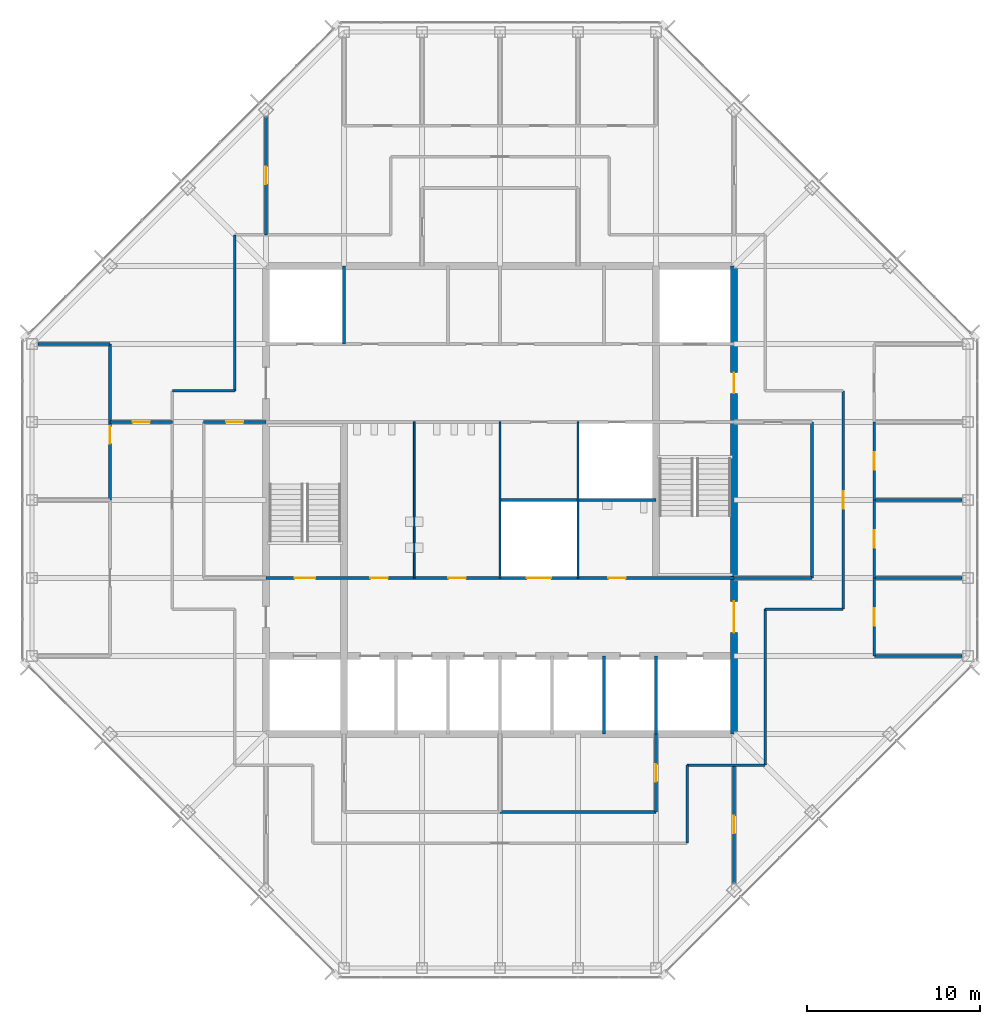
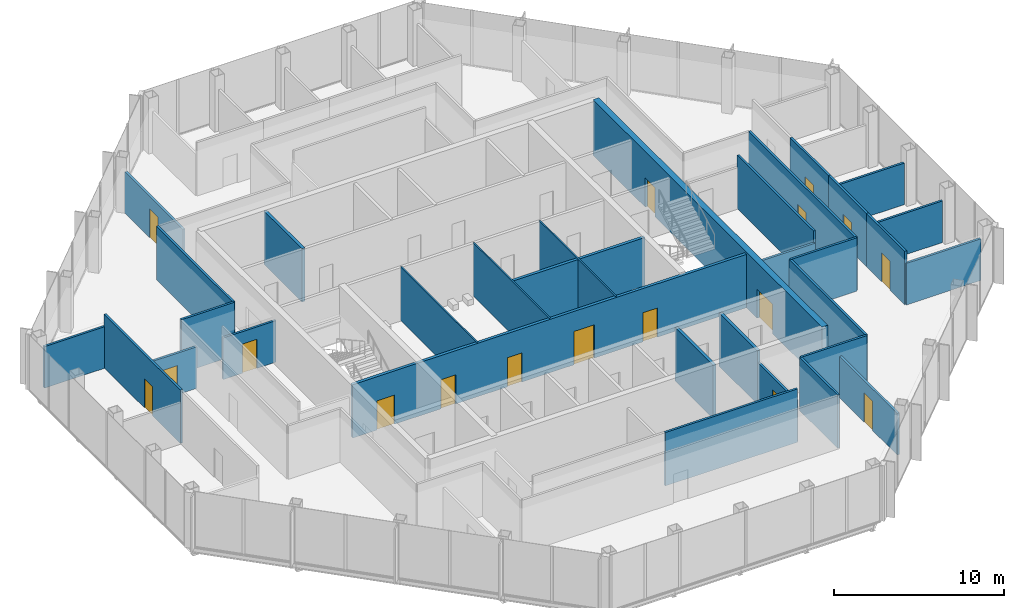
# One storey, part 10 of 14: 32 walls, 17 doors, 17 openings.
"""IFC4 building model written with IfcOpenShell, lengths in metres."""

from ifc_helpers import new_model, si_unit, direction, frame, frame_2d, origin, place, context, subcontext, project, spatial, rectangle, extrude, material, layer, layer_set, type_object, element, fill, save


model = new_model("IFC4")

# Units and contexts
model_context = context("Model", 3, precision=1e-05, world=origin(), true_north=direction((0.0, 1.0)))
body_context = subcontext(model_context, "Body", "Model", "MODEL_VIEW")
ifc_project = project(units=[si_unit("LENGTHUNIT", "METRE"), si_unit("AREAUNIT", "SQUARE_METRE"), si_unit("VOLUMEUNIT", "CUBIC_METRE"), si_unit("PLANEANGLEUNIT", "RADIAN"), si_unit("MASSUNIT", "GRAM", prefix="KILO")], contexts=[model_context])

# Site, building, storey
site_placement = place(None, origin())
site = spatial("IfcSite", under=ifc_project, at=site_placement, CompositionType="ELEMENT")
building_placement = place(site_placement, origin())
building = spatial("IfcBuilding", under=site, at=building_placement, Name="Corais Broadcast Tower", CompositionType="ELEMENT")
storey_placement = place(building_placement, frame((0.0, 0.0, 214.60009765625)))
storey = spatial("IfcBuildingStorey", under=building, at=storey_placement, Name="L49", CompositionType="ELEMENT", Elevation=214.60009765625)

# Walls
ifc_material_1 = material(Name="Concrete blockwork class A, grouted, two-hour", Category="masonry")
ifc_layer_1 = layer(ifc_material_1, 0.199951171875)
ifc_layer_set_1 = layer_set([ifc_layer_1], Name="Concrete blockwork class A, grouted, two-hour")
wall_type_1 = type_object("IfcWallType", Name="Core lobby wall 200", PredefinedType="SOLIDWALL", material=ifc_layer_set_1)
for number, where, z_axis, x_axis, name in (
    (1, (18.0, 36.0, 0.0), (0.0, 0.0, 1.0), (0.0, 1.0, 0.0), "CL3 core shaft wall X18B L49"),
    (2, (36.0, 13.5, 0.0), (0.0, 0.0, 1.0), (0.0, 1.0, 0.0), "CL3 core shaft wall X36A L49"),
):
    element("IfcWall", number, at=place(storey_placement, frame(where, z_axis=z_axis, x_axis=x_axis)), inside=storey, type_object=wall_type_1, Name=name, PredefinedType="SOLIDWALL", context=body_context, shape_type="SweptSolid", body=[
        extrude(rectangle(XDim=4.5, YDim=0.199951171875, at=frame_2d((2.25, 0.0))), origin(), (0.0, 0.0, 1.0), 3.83984375),
    ])

# Wall, openings, doors
wall_1_placement = place(storey_placement, frame((13.5, 22.5, 0.0), z_axis=(0.0, 0.0, 1.0), x_axis=(1.0, 0.0, 0.0)))
wall_1 = element("IfcWall", 3, at=wall_1_placement, inside=storey, type_object=wall_type_1, Name="CL3 core lobby wall Y225 L49", PredefinedType="SOLIDWALL", context=body_context, shape_type="SweptSolid", body=[
    extrude(rectangle(XDim=27.0, YDim=0.199951171875, at=frame_2d((13.5, 0.0))), origin(), (0.0, 0.0, 1.0), 3.83984375),
])
opening_1_placement = place(wall_1_placement, frame((1.64990234375, 0.0, 0.0)))
opening_1 = element("IfcOpeningElement", 4, at=opening_1_placement, cuts=wall_1, Name="Opening FD1", PredefinedType="OPENING", context=body_context, shape_type="SweptSolid", body=[
    extrude(rectangle(XDim=1.199951171875, YDim=2.10009765625, at=frame_2d((0.60009765625, 1.050048828125))), frame((0.0, 0.10986328125, 0.0), z_axis=(0.0, -1.0, 0.0), x_axis=(1.0, 0.0, 0.0)), (0.0, 0.0, 1.0), 0.219970703125),
])
opening_2_placement = place(wall_1_placement, frame((6.02490234375, 0.0, 0.0)))
opening_2 = element("IfcOpeningElement", 5, at=opening_2_placement, cuts=wall_1, Name="Opening WD1", PredefinedType="OPENING", context=body_context, shape_type="SweptSolid", body=[
    extrude(rectangle(XDim=1.0, YDim=2.10009765625, at=frame_2d((0.5, 1.050048828125))), frame((0.0, 0.10986328125, 0.0), z_axis=(0.0, -1.0, 0.0), x_axis=(1.0, 0.0, 0.0)), (0.0, 0.0, 1.0), 0.219970703125),
])
opening_3_placement = place(wall_1_placement, frame((10.52490234375, 0.0, 0.0)))
opening_3 = element("IfcOpeningElement", 6, at=opening_3_placement, cuts=wall_1, Name="Opening WD1", PredefinedType="OPENING", context=body_context, shape_type="SweptSolid", body=[
    extrude(rectangle(XDim=1.0, YDim=2.10009765625, at=frame_2d((0.5, 1.050048828125))), frame((0.0, 0.10986328125, 0.0), z_axis=(0.0, -1.0, 0.0), x_axis=(1.0, 0.0, 0.0)), (0.0, 0.0, 1.0), 0.219970703125),
])
opening_4_placement = place(wall_1_placement, frame((19.75, 0.0, 0.0)))
opening_4 = element("IfcOpeningElement", 7, at=opening_4_placement, cuts=wall_1, Name="Opening WD1", PredefinedType="OPENING", context=body_context, shape_type="SweptSolid", body=[
    extrude(rectangle(XDim=1.0, YDim=2.10009765625, at=frame_2d((0.5, 1.050048828125))), frame((0.0, 0.10986328125, 0.0), z_axis=(0.0, -1.0, 0.0), x_axis=(1.0, 0.0, 0.0)), (0.0, 0.0, 1.0), 0.219970703125),
])
opening_5_placement = place(wall_1_placement, frame((15.050048828125, 0.0, 0.0)))
opening_5 = element("IfcOpeningElement", 8, at=opening_5_placement, cuts=wall_1, Name="Opening LD3", PredefinedType="OPENING", context=body_context, shape_type="SweptSolid", body=[
    extrude(rectangle(XDim=1.39990234375, YDim=2.39990234375, at=frame_2d((0.699951171875, 1.199951171875))), frame((0.0, 0.10986328125, 0.0), z_axis=(0.0, -1.0, 0.0), x_axis=(1.0, 0.0, 0.0)), (0.0, 0.0, 1.0), 0.219970703125),
])
ifc_material_2 = material(Name="Steel fire door", Category="steel")
door_type_1 = type_object("IfcDoorType", Name="Fire door 1200x2100", OperationType="SINGLE_SWING_LEFT", PredefinedType="DOOR", material=ifc_material_2)
door_1_placement = place(opening_1_placement, origin())
door_1 = element("IfcDoor", 9, at=door_1_placement, inside=storey, type_object=door_type_1, Name="FD1 stair A door L49", OperationType="SINGLE_SWING_LEFT", OverallHeight=2.10009765625, OverallWidth=1.199951171875, PredefinedType="DOOR", context=body_context, shape_type="SweptSolid", body=[
    extrude(rectangle(XDim=1.199951171875, YDim=2.10009765625, at=frame_2d((0.60009765625, 1.050048828125))), frame((0.0, 0.02490234375, 0.0), z_axis=(0.0, -1.0, 0.0), x_axis=(1.0, 0.0, 0.0)), (0.0, 0.0, 1.0), 0.050048828125),
])
fill(opening_1, door_1)
ifc_material_3 = material(Name="Stainless steel lift door", Category="steel")
door_type_2 = type_object("IfcDoorType", Name="Service lift landing door 1400x2400", OperationType="SLIDING_TO_LEFT", PredefinedType="DOOR", material=ifc_material_3)
door_2_placement = place(opening_5_placement, origin())
door_2 = element("IfcDoor", 10, at=door_2_placement, inside=storey, type_object=door_type_2, Name="LD3 SL1 landing door L49", OperationType="SLIDING_TO_LEFT", OverallHeight=2.39990234375, OverallWidth=1.39990234375, PredefinedType="DOOR", context=body_context, shape_type="SweptSolid", body=[
    extrude(rectangle(XDim=1.39990234375, YDim=2.39990234375, at=frame_2d((0.699951171875, 1.199951171875))), frame((0.0, 0.02490234375, 0.0), z_axis=(0.0, -1.0, 0.0), x_axis=(1.0, 0.0, 0.0)), (0.0, 0.0, 1.0), 0.050048828125),
])
fill(opening_5, door_2)
ifc_material_4 = material(Name="Timber door", Category="wood")
door_type_3 = type_object("IfcDoorType", Name="Toilet door 1000x2100", OperationType="SINGLE_SWING_LEFT", PredefinedType="DOOR", material=ifc_material_4)
door_3_placement = place(opening_2_placement, origin())
door_3 = element("IfcDoor", 11, at=door_3_placement, inside=storey, type_object=door_type_3, Name="WD1 WC male door L49", OperationType="SINGLE_SWING_LEFT", OverallHeight=2.10009765625, OverallWidth=1.0, PredefinedType="DOOR", context=body_context, shape_type="SweptSolid", body=[
    extrude(rectangle(XDim=1.0, YDim=2.10009765625, at=frame_2d((0.5, 1.050048828125))), frame((0.0, 0.02490234375, 0.0), z_axis=(0.0, -1.0, 0.0), x_axis=(1.0, 0.0, 0.0)), (0.0, 0.0, 1.0), 0.050048828125),
])
fill(opening_2, door_3)
door_4_placement = place(opening_3_placement, origin())
door_4 = element("IfcDoor", 12, at=door_4_placement, inside=storey, type_object=door_type_3, Name="WD1 WC female door L49", OperationType="SINGLE_SWING_LEFT", OverallHeight=2.10009765625, OverallWidth=1.0, PredefinedType="DOOR", context=body_context, shape_type="SweptSolid", body=[
    extrude(rectangle(XDim=1.0, YDim=2.10009765625, at=frame_2d((0.5, 1.050048828125))), frame((0.0, 0.02490234375, 0.0), z_axis=(0.0, -1.0, 0.0), x_axis=(1.0, 0.0, 0.0)), (0.0, 0.0, 1.0), 0.050048828125),
])
fill(opening_3, door_4)
door_5_placement = place(opening_4_placement, origin())
door_5 = element("IfcDoor", 13, at=door_5_placement, inside=storey, type_object=door_type_3, Name="WD1 accessible WC door L49", OperationType="SINGLE_SWING_RIGHT", OverallHeight=2.10009765625, OverallWidth=1.0, PredefinedType="DOOR", context=body_context, shape_type="SweptSolid", body=[
    extrude(rectangle(XDim=1.0, YDim=2.10009765625, at=frame_2d((0.5, 1.050048828125))), frame((0.0, 0.02490234375, 0.0), z_axis=(0.0, -1.0, 0.0), x_axis=(1.0, 0.0, 0.0)), (0.0, 0.0, 1.0), 0.050048828125),
])
fill(opening_4, door_5)

ifc_material_5 = material(Name="Concrete C50/60", Category="concrete")
ifc_layer_2 = layer(ifc_material_5, 0.39990234375)
ifc_layer_set_2 = layer_set([ifc_layer_2], Name="Concrete C50/60")
wall_type_2 = type_object("IfcWallType", Name="Core wall 400", PredefinedType="SHEAR", material=ifc_layer_set_2)
wall_2_placement = place(storey_placement, frame((40.5, 13.5, 0.0), z_axis=(0.0, 0.0, 1.0), x_axis=(0.0, 1.0, 0.0)))
wall_2 = element("IfcWall", 14, at=wall_2_placement, inside=storey, type_object=wall_type_2, Name="CR400 core wall E L49", PredefinedType="SHEAR", context=body_context, shape_type="SweptSolid", body=[
    extrude(rectangle(XDim=27.0, YDim=0.39990234375, at=frame_2d((13.5, 0.0))), origin(), (0.0, 0.0, 1.0), 4.0),
])
opening_6_placement = place(wall_2_placement, frame((5.85009765625, 0.0, 0.0)))
opening_6 = element("IfcOpeningElement", 15, at=opening_6_placement, cuts=wall_2, Name="Opening FD2", PredefinedType="OPENING", context=body_context, shape_type="SweptSolid", body=[
    extrude(rectangle(XDim=1.800048828125, YDim=2.10009765625, at=frame_2d((0.89990234375, 1.050048828125))), frame((0.0, 0.2099609375, 0.0), z_axis=(0.0, -1.0, 0.0), x_axis=(1.0, 0.0, 0.0)), (0.0, 0.0, 1.0), 0.419921875),
])
opening_7_placement = place(wall_2_placement, frame((19.64990234375, 0.0, 0.0)))
opening_7 = element("IfcOpeningElement", 16, at=opening_7_placement, cuts=wall_2, Name="Opening FD1", PredefinedType="OPENING", context=body_context, shape_type="SweptSolid", body=[
    extrude(rectangle(XDim=1.199951171875, YDim=2.10009765625, at=frame_2d((0.60009765625, 1.050048828125))), frame((0.0, 0.2099609375, 0.0), z_axis=(0.0, -1.0, 0.0), x_axis=(1.0, 0.0, 0.0)), (0.0, 0.0, 1.0), 0.419921875),
])
door_6_placement = place(opening_7_placement, origin())
door_6 = element("IfcDoor", 17, at=door_6_placement, inside=storey, type_object=door_type_1, Name="FD1 fire lobby B door L49", OperationType="SINGLE_SWING_RIGHT", OverallHeight=2.10009765625, OverallWidth=1.199951171875, PredefinedType="DOOR", context=body_context, shape_type="SweptSolid", body=[
    extrude(rectangle(XDim=1.199951171875, YDim=2.10009765625, at=frame_2d((0.60009765625, 1.050048828125))), frame((0.0, 0.02490234375, 0.0), z_axis=(0.0, -1.0, 0.0), x_axis=(1.0, 0.0, 0.0)), (0.0, 0.0, 1.0), 0.050048828125),
])
fill(opening_7, door_6)
ifc_material_6 = material(Name="Steel fire door", Category="steel")
door_type_4 = type_object("IfcDoorType", Name="Fire door pair 1800x2100", OperationType="DOUBLE_DOOR_SINGLE_SWING", PredefinedType="DOOR", material=ifc_material_6)
door_7_placement = place(opening_6_placement, origin())
door_7 = element("IfcDoor", 18, at=door_7_placement, inside=storey, type_object=door_type_4, Name="FD2 lift lobby door L49", OperationType="SINGLE_SWING_LEFT", OverallHeight=2.10009765625, OverallWidth=1.800048828125, PredefinedType="DOOR", context=body_context, shape_type="SweptSolid", body=[
    extrude(rectangle(XDim=1.800048828125, YDim=2.10009765625, at=frame_2d((0.89990234375, 1.050048828125))), frame((0.0, 0.02490234375, 0.0), z_axis=(0.0, -1.0, 0.0), x_axis=(1.0, 0.0, 0.0)), (0.0, 0.0, 1.0), 0.050048828125),
])
fill(opening_6, door_7)

# Wall, opening, door
ifc_material_7 = material(Name="Gypsum board on steel studs", Category="steel")
ifc_layer_3 = layer(ifc_material_7, 0.14990234375)
ifc_layer_set_3 = layer_set([ifc_layer_3], Name="Gypsum board on steel studs")
wall_type_3 = type_object("IfcWallType", Name="Partition 150", PredefinedType="PARTITIONING", material=ifc_layer_set_3)
wall_3_placement = place(storey_placement, frame((46.800048828125, 20.699951171875, 0.0), z_axis=(0.0, 0.0, 1.0), x_axis=(0.0, 1.0, 0.0)))
wall_3 = element("IfcWall", 19, at=wall_3_placement, inside=storey, type_object=wall_type_3, Name="IW3 corridor wall L49", PredefinedType="PARTITIONING", context=body_context, shape_type="SweptSolid", body=[
    extrude(rectangle(XDim=12.60009765625, YDim=0.14990234375, at=frame_2d((6.300048828125, 0.0))), origin(), (0.0, 0.0, 1.0), 3.83984375),
])
opening_8_placement = place(wall_3_placement, frame((5.800048828125, 0.0, 0.0)))
opening_8 = element("IfcOpeningElement", 20, at=opening_8_placement, cuts=wall_3, Name="Opening D1", PredefinedType="OPENING", context=body_context, shape_type="SweptSolid", body=[
    extrude(rectangle(XDim=1.0, YDim=2.10009765625, at=frame_2d((0.5, 1.050048828125))), frame((0.0, 0.0849609375, 0.0), z_axis=(0.0, -1.0, 0.0), x_axis=(1.0, 0.0, 0.0)), (0.0, 0.0, 1.0), 0.169921875),
])
ifc_material_8 = material(Name="Timber door", Category="wood")
door_type_5 = type_object("IfcDoorType", Name="Single door 1000x2100", OperationType="SINGLE_SWING_LEFT", PredefinedType="DOOR", material=ifc_material_8)
door_8_placement = place(opening_8_placement, origin())
door_8 = element("IfcDoor", 21, at=door_8_placement, inside=storey, type_object=door_type_5, Name="D1 workplace door L49", OperationType="SINGLE_SWING_LEFT", OverallHeight=2.10009765625, OverallWidth=1.0, PredefinedType="DOOR", context=body_context, shape_type="SweptSolid", body=[
    extrude(rectangle(XDim=1.0, YDim=2.10009765625, at=frame_2d((0.5, 1.050048828125))), frame((0.0, 0.02490234375, 0.0), z_axis=(0.0, -1.0, 0.0), x_axis=(1.0, 0.0, 0.0)), (0.0, 0.0, 1.0), 0.050048828125),
])
fill(opening_8, door_8)

# Walls
for number, where, z_axis, x_axis, name in (
    (22, (11.699951171875, 42.300048828125, 0.0), (0.0, 0.0, 1.0), (0.0, -1.0, 0.0), "IW3 corridor wall L49"),
    (23, (42.300048828125, 11.699951171875, 0.0), (0.0, 0.0, 1.0), (0.0, 1.0, 0.0), "IW3 corridor wall L49"),
):
    element("IfcWall", number, at=place(storey_placement, frame(where, z_axis=z_axis, x_axis=x_axis)), inside=storey, type_object=wall_type_3, Name=name, PredefinedType="PARTITIONING", context=body_context, shape_type="SweptSolid", body=[
        extrude(rectangle(XDim=9.0, YDim=0.14990234375, at=frame_2d((4.5, 0.0))), origin(), (0.0, 0.0, 1.0), 3.83984375),
    ])
for number, where, z_axis, x_axis, name in (
    (24, (37.800048828125, 7.199951171875, 0.0), (0.0, 0.0, 1.0), (0.0, 1.0, 0.0), "IW3 corridor wall L49"),
    (25, (37.800048828125, 11.699951171875, 0.0), (0.0, 0.0, 1.0), (1.0, 0.0, 0.0), "IW3 corridor wall L49"),
    (26, (42.300048828125, 20.699951171875, 0.0), (0.0, 0.0, 1.0), (1.0, 0.0, 0.0), "IW3 corridor wall L49"),
):
    element("IfcWall", number, at=place(storey_placement, frame(where, z_axis=z_axis, x_axis=x_axis)), inside=storey, type_object=wall_type_3, Name=name, PredefinedType="PARTITIONING", context=body_context, shape_type="SweptSolid", body=[
        extrude(rectangle(XDim=4.5, YDim=0.14990234375, at=frame_2d((2.25, 0.0))), origin(), (0.0, 0.0, 1.0), 3.83984375),
    ])
wall_4_placement = place(storey_placement, frame((11.699951171875, 33.300048828125, 0.0), z_axis=(0.0, 0.0, 1.0), x_axis=(-1.0, 0.0, 0.0)))
element("IfcWall", 27, at=wall_4_placement, inside=storey, type_object=wall_type_3, Name="IW3 corridor wall L49", PredefinedType="PARTITIONING", context=body_context, shape_type="SweptSolid", body=[
    extrude(rectangle(XDim=3.599853515625, YDim=0.14990234375, at=frame_2d((1.7998046875, 0.0))), origin(), (0.0, 0.0, 1.0), 3.83984375),
])
for number, where, z_axis, x_axis, name in (
    (28, (48.60009765625, 18.0, 0.0), (0.0, 0.0, 1.0), (1.0, 0.0, 0.0), "IW3 partition L49"),
    (29, (53.6650390625, 22.5, 0.0), (0.0, 0.0, 1.0), (-1.0, 0.0, 0.0), "IW3 partition L49"),
):
    element("IfcWall", number, at=place(storey_placement, frame(where, z_axis=z_axis, x_axis=x_axis)), inside=storey, type_object=wall_type_3, Name=name, PredefinedType="PARTITIONING", context=body_context, shape_type="SweptSolid", body=[
        extrude(rectangle(XDim=5.06494140625, YDim=0.14990234375, at=frame_2d((2.532470703125, 0.0))), origin(), (0.0, 0.0, 1.0), 2.989013671875),
    ])

# Wall, opening, door
wall_5_placement = place(storey_placement, frame((48.60009765625, 22.5, 0.0), z_axis=(0.0, 0.0, 1.0), x_axis=(0.0, -1.0, 0.0)))
wall_5 = element("IfcWall", 30, at=wall_5_placement, inside=storey, type_object=wall_type_3, Name="IW3 partition L49", PredefinedType="PARTITIONING", context=body_context, shape_type="SweptSolid", body=[
    extrude(rectangle(XDim=4.5, YDim=0.14990234375, at=frame_2d((2.25, 0.0))), origin(), (0.0, 0.0, 1.0), 3.83984375),
])
opening_9_placement = place(wall_5_placement, frame((1.75, 0.0, 0.0)))
opening_9 = element("IfcOpeningElement", 31, at=opening_9_placement, cuts=wall_5, Name="Opening D1", PredefinedType="OPENING", context=body_context, shape_type="SweptSolid", body=[
    extrude(rectangle(XDim=1.0, YDim=2.10009765625, at=frame_2d((0.5, 1.050048828125))), frame((0.0, 0.0849609375, 0.0), z_axis=(0.0, -1.0, 0.0), x_axis=(1.0, 0.0, 0.0)), (0.0, 0.0, 1.0), 0.169921875),
])
door_9_placement = place(opening_9_placement, origin())
door_9 = element("IfcDoor", 32, at=door_9_placement, inside=storey, type_object=door_type_5, Name="D1 Office door", OperationType="SINGLE_SWING_LEFT", OverallHeight=2.10009765625, OverallWidth=1.0, PredefinedType="DOOR", context=body_context, shape_type="SweptSolid", body=[
    extrude(rectangle(XDim=1.0, YDim=2.10009765625, at=frame_2d((0.5, 1.050048828125))), frame((0.0, 0.02490234375, 0.0), z_axis=(0.0, -1.0, 0.0), x_axis=(1.0, 0.0, 0.0)), (0.0, 0.0, 1.0), 0.050048828125),
])
fill(opening_9, door_9)

# Wall
wall_6_placement = place(storey_placement, frame((53.6650390625, 27.0, 0.0), z_axis=(0.0, 0.0, 1.0), x_axis=(-1.0, 0.0, 0.0)))
element("IfcWall", 33, at=wall_6_placement, inside=storey, type_object=wall_type_3, Name="IW3 partition L49", PredefinedType="PARTITIONING", context=body_context, shape_type="SweptSolid", body=[
    extrude(rectangle(XDim=5.06494140625, YDim=0.14990234375, at=frame_2d((2.532470703125, 0.0))), origin(), (0.0, 0.0, 1.0), 2.989013671875),
])

# Wall, opening, door
wall_7_placement = place(storey_placement, frame((48.60009765625, 27.0, 0.0), z_axis=(0.0, 0.0, 1.0), x_axis=(0.0, -1.0, 0.0)))
wall_7 = element("IfcWall", 34, at=wall_7_placement, inside=storey, type_object=wall_type_3, Name="IW3 partition L49", PredefinedType="PARTITIONING", context=body_context, shape_type="SweptSolid", body=[
    extrude(rectangle(XDim=4.5, YDim=0.14990234375, at=frame_2d((2.25, 0.0))), origin(), (0.0, 0.0, 1.0), 3.83984375),
])
opening_10_placement = place(wall_7_placement, frame((1.75, 0.0, 0.0)))
opening_10 = element("IfcOpeningElement", 35, at=opening_10_placement, cuts=wall_7, Name="Opening D1", PredefinedType="OPENING", context=body_context, shape_type="SweptSolid", body=[
    extrude(rectangle(XDim=1.0, YDim=2.10009765625, at=frame_2d((0.5, 1.050048828125))), frame((0.0, 0.0849609375, 0.0), z_axis=(0.0, -1.0, 0.0), x_axis=(1.0, 0.0, 0.0)), (0.0, 0.0, 1.0), 0.169921875),
])
door_10_placement = place(opening_10_placement, origin())
door_10 = element("IfcDoor", 36, at=door_10_placement, inside=storey, type_object=door_type_5, Name="D1 Office door", OperationType="SINGLE_SWING_LEFT", OverallHeight=2.10009765625, OverallWidth=1.0, PredefinedType="DOOR", context=body_context, shape_type="SweptSolid", body=[
    extrude(rectangle(XDim=1.0, YDim=2.10009765625, at=frame_2d((0.5, 1.050048828125))), frame((0.0, 0.02490234375, 0.0), z_axis=(0.0, -1.0, 0.0), x_axis=(1.0, 0.0, 0.0)), (0.0, 0.0, 1.0), 0.050048828125),
])
fill(opening_10, door_10)

wall_8_placement = place(storey_placement, frame((48.60009765625, 31.5, 0.0), z_axis=(0.0, 0.0, 1.0), x_axis=(0.0, -1.0, 0.0)))
wall_8 = element("IfcWall", 37, at=wall_8_placement, inside=storey, type_object=wall_type_3, Name="IW3 partition L49", PredefinedType="PARTITIONING", context=body_context, shape_type="SweptSolid", body=[
    extrude(rectangle(XDim=4.5, YDim=0.14990234375, at=frame_2d((2.25, 0.0))), origin(), (0.0, 0.0, 1.0), 3.83984375),
])
opening_11_placement = place(wall_8_placement, frame((1.75, 0.0, 0.0)))
opening_11 = element("IfcOpeningElement", 38, at=opening_11_placement, cuts=wall_8, Name="Opening D1", PredefinedType="OPENING", context=body_context, shape_type="SweptSolid", body=[
    extrude(rectangle(XDim=1.0, YDim=2.10009765625, at=frame_2d((0.5, 1.050048828125))), frame((0.0, 0.0849609375, 0.0), z_axis=(0.0, -1.0, 0.0), x_axis=(1.0, 0.0, 0.0)), (0.0, 0.0, 1.0), 0.169921875),
])
door_11_placement = place(opening_11_placement, origin())
door_11 = element("IfcDoor", 39, at=door_11_placement, inside=storey, type_object=door_type_5, Name="D1 Office door", OperationType="SINGLE_SWING_LEFT", OverallHeight=2.10009765625, OverallWidth=1.0, PredefinedType="DOOR", context=body_context, shape_type="SweptSolid", body=[
    extrude(rectangle(XDim=1.0, YDim=2.10009765625, at=frame_2d((0.5, 1.050048828125))), frame((0.0, 0.02490234375, 0.0), z_axis=(0.0, -1.0, 0.0), x_axis=(1.0, 0.0, 0.0)), (0.0, 0.0, 1.0), 0.050048828125),
])
fill(opening_11, door_11)

# Walls
wall_9_placement = place(storey_placement, frame((40.5, 22.5, 0.0), z_axis=(0.0, 0.0, 1.0), x_axis=(1.0, 0.0, 0.0)))
element("IfcWall", 40, at=wall_9_placement, inside=storey, type_object=wall_type_3, Name="IW3 partition L49", PredefinedType="PARTITIONING", context=body_context, shape_type="SweptSolid", body=[
    extrude(rectangle(XDim=4.5, YDim=0.14990234375, at=frame_2d((2.25, 0.0))), origin(), (0.0, 0.0, 1.0), 2.989013671875),
])
wall_10_placement = place(storey_placement, frame((45.0, 22.5, 0.0), z_axis=(0.0, 0.0, 1.0), x_axis=(0.0, 1.0, 0.0)))
element("IfcWall", 41, at=wall_10_placement, inside=storey, type_object=wall_type_3, Name="IW3 partition L49", PredefinedType="PARTITIONING", context=body_context, shape_type="SweptSolid", body=[
    extrude(rectangle(XDim=9.0, YDim=0.14990234375, at=frame_2d((4.5, 0.0))), origin(), (0.0, 0.0, 1.0), 3.83984375),
])

# Wall, opening, door
wall_11_placement = place(storey_placement, frame((13.5, 31.5, 0.0), z_axis=(0.0, 0.0, 1.0), x_axis=(-1.0, 0.0, 0.0)))
wall_11 = element("IfcWall", 42, at=wall_11_placement, inside=storey, type_object=wall_type_3, Name="IW3 partition L49", PredefinedType="PARTITIONING", context=body_context, shape_type="SweptSolid", body=[
    extrude(rectangle(XDim=3.60009765625, YDim=0.14990234375, at=frame_2d((1.800048828125, 0.0))), origin(), (0.0, 0.0, 1.0), 2.989013671875),
])
opening_12_placement = place(wall_11_placement, frame((1.300048828125, 0.0, 0.0)))
opening_12 = element("IfcOpeningElement", 43, at=opening_12_placement, cuts=wall_11, Name="Opening D1", PredefinedType="OPENING", context=body_context, shape_type="SweptSolid", body=[
    extrude(rectangle(XDim=1.0, YDim=2.10009765625, at=frame_2d((0.5, 1.050048828125))), frame((0.0, 0.0849609375, 0.0), z_axis=(0.0, -1.0, 0.0), x_axis=(1.0, 0.0, 0.0)), (0.0, 0.0, 1.0), 0.169921875),
])
door_12_placement = place(opening_12_placement, origin())
door_12 = element("IfcDoor", 44, at=door_12_placement, inside=storey, type_object=door_type_5, Name="D1 Pantry door", OperationType="SINGLE_SWING_LEFT", OverallHeight=2.10009765625, OverallWidth=1.0, PredefinedType="DOOR", context=body_context, shape_type="SweptSolid", body=[
    extrude(rectangle(XDim=1.0, YDim=2.10009765625, at=frame_2d((0.5, 1.050048828125))), frame((0.0, 0.02490234375, 0.0), z_axis=(0.0, -1.0, 0.0), x_axis=(1.0, 0.0, 0.0)), (0.0, 0.0, 1.0), 0.050048828125),
])
fill(opening_12, door_12)

# Wall
wall_12_placement = place(storey_placement, frame((27.0, 9.0, 0.0), z_axis=(0.0, 0.0, 1.0), x_axis=(1.0, 0.0, 0.0)))
element("IfcWall", 45, at=wall_12_placement, inside=storey, type_object=wall_type_3, Name="IW3 partition L49", PredefinedType="PARTITIONING", context=body_context, shape_type="SweptSolid", body=[
    extrude(rectangle(XDim=9.0, YDim=0.14990234375, at=frame_2d((4.5, 0.0))), origin(), (0.0, 0.0, 1.0), 3.83984375),
])

# Wall, opening, door
wall_13_placement = place(storey_placement, frame((36.0, 9.0, 0.0), z_axis=(0.0, 0.0, 1.0), x_axis=(0.0, 1.0, 0.0)))
wall_13 = element("IfcWall", 46, at=wall_13_placement, inside=storey, type_object=wall_type_3, Name="IW3 partition L49", PredefinedType="PARTITIONING", context=body_context, shape_type="SweptSolid", body=[
    extrude(rectangle(XDim=4.5, YDim=0.14990234375, at=frame_2d((2.25, 0.0))), origin(), (0.0, 0.0, 1.0), 2.989013671875),
])
opening_13_placement = place(wall_13_placement, frame((1.75, 0.0, 0.0)))
opening_13 = element("IfcOpeningElement", 47, at=opening_13_placement, cuts=wall_13, Name="Opening D1", PredefinedType="OPENING", context=body_context, shape_type="SweptSolid", body=[
    extrude(rectangle(XDim=1.0, YDim=2.10009765625, at=frame_2d((0.5, 1.050048828125))), frame((0.0, 0.0849609375, 0.0), z_axis=(0.0, -1.0, 0.0), x_axis=(1.0, 0.0, 0.0)), (0.0, 0.0, 1.0), 0.169921875),
])
door_13_placement = place(opening_13_placement, origin())
door_13 = element("IfcDoor", 48, at=door_13_placement, inside=storey, type_object=door_type_5, Name="D1 Meeting room door", OperationType="SINGLE_SWING_LEFT", OverallHeight=2.10009765625, OverallWidth=1.0, PredefinedType="DOOR", context=body_context, shape_type="SweptSolid", body=[
    extrude(rectangle(XDim=1.0, YDim=2.10009765625, at=frame_2d((0.5, 1.050048828125))), frame((0.0, 0.02490234375, 0.0), z_axis=(0.0, -1.0, 0.0), x_axis=(1.0, 0.0, 0.0)), (0.0, 0.0, 1.0), 0.050048828125),
])
fill(opening_13, door_13)

wall_14_placement = place(storey_placement, frame((4.5, 27.0, 0.0), z_axis=(0.0, 0.0, 1.0), x_axis=(0.0, 1.0, 0.0)))
wall_14 = element("IfcWall", 49, at=wall_14_placement, inside=storey, type_object=wall_type_3, Name="IW3 partition L49", PredefinedType="PARTITIONING", context=body_context, shape_type="SweptSolid", body=[
    extrude(rectangle(XDim=9.0, YDim=0.14990234375, at=frame_2d((4.5, 0.0))), origin(), (0.0, 0.0, 1.0), 3.83984375),
])
opening_14_placement = place(wall_14_placement, frame((3.25, 0.0, 0.0)))
opening_14 = element("IfcOpeningElement", 50, at=opening_14_placement, cuts=wall_14, Name="Opening D1", PredefinedType="OPENING", context=body_context, shape_type="SweptSolid", body=[
    extrude(rectangle(XDim=1.0, YDim=2.10009765625, at=frame_2d((0.5, 1.050048828125))), frame((0.0, 0.0849609375, 0.0), z_axis=(0.0, -1.0, 0.0), x_axis=(1.0, 0.0, 0.0)), (0.0, 0.0, 1.0), 0.169921875),
])
door_14_placement = place(opening_14_placement, origin())
door_14 = element("IfcDoor", 51, at=door_14_placement, inside=storey, type_object=door_type_5, Name="D1 Office door", OperationType="SINGLE_SWING_LEFT", OverallHeight=2.10009765625, OverallWidth=1.0, PredefinedType="DOOR", context=body_context, shape_type="SweptSolid", body=[
    extrude(rectangle(XDim=1.0, YDim=2.10009765625, at=frame_2d((0.5, 1.050048828125))), frame((0.0, 0.02490234375, 0.0), z_axis=(0.0, -1.0, 0.0), x_axis=(1.0, 0.0, 0.0)), (0.0, 0.0, 1.0), 0.050048828125),
])
fill(opening_14, door_14)

# Wall
wall_15_placement = place(storey_placement, frame((4.5, 36.0, 0.0), z_axis=(0.0, 0.0, 1.0), x_axis=(-1.0, 0.0, 0.0)))
element("IfcWall", 52, at=wall_15_placement, inside=storey, type_object=wall_type_3, Name="IW3 partition L49", PredefinedType="PARTITIONING", context=body_context, shape_type="SweptSolid", body=[
    extrude(rectangle(XDim=4.1650390625, YDim=0.14990234375, at=frame_2d((2.08251953125, 0.0))), origin(), (0.0, 0.0, 1.0), 2.989013671875),
])

# Wall, opening, door
wall_16_placement = place(storey_placement, frame((13.5, 42.300048828125, 0.0), z_axis=(0.0, 0.0, 1.0), x_axis=(0.0, 1.0, 0.0)))
wall_16 = element("IfcWall", 53, at=wall_16_placement, inside=storey, type_object=wall_type_3, Name="IW3 partition L49", PredefinedType="PARTITIONING", context=body_context, shape_type="SweptSolid", body=[
    extrude(rectangle(XDim=6.85498046875, YDim=0.14990234375, at=frame_2d((3.427490234375, 0.0))), origin(), (0.0, 0.0, 1.0), 2.989013671875),
])
opening_15_placement = place(wall_16_placement, frame((2.927490234375, 0.0, 0.0)))
opening_15 = element("IfcOpeningElement", 54, at=opening_15_placement, cuts=wall_16, Name="Opening D1", PredefinedType="OPENING", context=body_context, shape_type="SweptSolid", body=[
    extrude(rectangle(XDim=1.0, YDim=2.10009765625, at=frame_2d((0.5, 1.050048828125))), frame((0.0, 0.0849609375, 0.0), z_axis=(0.0, -1.0, 0.0), x_axis=(1.0, 0.0, 0.0)), (0.0, 0.0, 1.0), 0.169921875),
])
door_15_placement = place(opening_15_placement, origin())
door_15 = element("IfcDoor", 55, at=door_15_placement, inside=storey, type_object=door_type_5, Name="D1 team room door L49", OperationType="SINGLE_SWING_LEFT", OverallHeight=2.10009765625, OverallWidth=1.0, PredefinedType="DOOR", context=body_context, shape_type="SweptSolid", body=[
    extrude(rectangle(XDim=1.0, YDim=2.10009765625, at=frame_2d((0.5, 1.050048828125))), frame((0.0, 0.02490234375, 0.0), z_axis=(0.0, -1.0, 0.0), x_axis=(1.0, 0.0, 0.0)), (0.0, 0.0, 1.0), 0.050048828125),
])
fill(opening_15, door_15)

wall_17_placement = place(storey_placement, frame((40.5, 4.844970703125, 0.0), z_axis=(0.0, 0.0, 1.0), x_axis=(0.0, 1.0, 0.0)))
wall_17 = element("IfcWall", 56, at=wall_17_placement, inside=storey, type_object=wall_type_3, Name="IW3 partition L49", PredefinedType="PARTITIONING", context=body_context, shape_type="SweptSolid", body=[
    extrude(rectangle(XDim=6.85498046875, YDim=0.14990234375, at=frame_2d((3.427490234375, 0.0))), origin(), (0.0, 0.0, 1.0), 2.989013671875),
])
opening_16_placement = place(wall_17_placement, frame((2.927490234375, 0.0, 0.0)))
opening_16 = element("IfcOpeningElement", 57, at=opening_16_placement, cuts=wall_17, Name="Opening D1", PredefinedType="OPENING", context=body_context, shape_type="SweptSolid", body=[
    extrude(rectangle(XDim=1.0, YDim=2.10009765625, at=frame_2d((0.5, 1.050048828125))), frame((0.0, 0.0849609375, 0.0), z_axis=(0.0, -1.0, 0.0), x_axis=(1.0, 0.0, 0.0)), (0.0, 0.0, 1.0), 0.169921875),
])
door_16_placement = place(opening_16_placement, origin())
door_16 = element("IfcDoor", 58, at=door_16_placement, inside=storey, type_object=door_type_5, Name="D1 team room door L49", OperationType="SINGLE_SWING_LEFT", OverallHeight=2.10009765625, OverallWidth=1.0, PredefinedType="DOOR", context=body_context, shape_type="SweptSolid", body=[
    extrude(rectangle(XDim=1.0, YDim=2.10009765625, at=frame_2d((0.5, 1.050048828125))), frame((0.0, 0.02490234375, 0.0), z_axis=(0.0, -1.0, 0.0), x_axis=(1.0, 0.0, 0.0)), (0.0, 0.0, 1.0), 0.050048828125),
])
fill(opening_16, door_16)

wall_18_placement = place(storey_placement, frame((4.5, 31.5, 0.0), z_axis=(0.0, 0.0, 1.0), x_axis=(1.0, 0.0, 0.0)))
wall_18 = element("IfcWall", 59, at=wall_18_placement, inside=storey, type_object=wall_type_3, Name="IW3 partition L49", PredefinedType="PARTITIONING", context=body_context, shape_type="SweptSolid", body=[
    extrude(rectangle(XDim=3.60009765625, YDim=0.14990234375, at=frame_2d((1.800048828125, 0.0))), origin(), (0.0, 0.0, 1.0), 2.989013671875),
])
opening_17_placement = place(wall_18_placement, frame((1.300048828125, 0.0, 0.0)))
opening_17 = element("IfcOpeningElement", 60, at=opening_17_placement, cuts=wall_18, Name="Opening D1", PredefinedType="OPENING", context=body_context, shape_type="SweptSolid", body=[
    extrude(rectangle(XDim=1.0, YDim=2.10009765625, at=frame_2d((0.5, 1.050048828125))), frame((0.0, 0.0849609375, 0.0), z_axis=(0.0, -1.0, 0.0), x_axis=(1.0, 0.0, 0.0)), (0.0, 0.0, 1.0), 0.169921875),
])
door_17_placement = place(opening_17_placement, origin())
door_17 = element("IfcDoor", 61, at=door_17_placement, inside=storey, type_object=door_type_5, Name="D1 team room door L49", OperationType="SINGLE_SWING_LEFT", OverallHeight=2.10009765625, OverallWidth=1.0, PredefinedType="DOOR", context=body_context, shape_type="SweptSolid", body=[
    extrude(rectangle(XDim=1.0, YDim=2.10009765625, at=frame_2d((0.5, 1.050048828125))), frame((0.0, 0.02490234375, 0.0), z_axis=(0.0, -1.0, 0.0), x_axis=(1.0, 0.0, 0.0)), (0.0, 0.0, 1.0), 0.050048828125),
])
fill(opening_17, door_17)

# Walls
ifc_material_9 = material(Name="Concrete blockwork class A, grouted, two-hour", Category="masonry")
ifc_layer_4 = layer(ifc_material_9, 0.199951171875)
ifc_layer_set_4 = layer_set([ifc_layer_4], Name="Concrete blockwork class A, grouted, two-hour")
wall_type_4 = type_object("IfcWallType", Name="Shaft wall 200", PredefinedType="PARTITIONING", material=ifc_layer_set_4)
wall_19_placement = place(storey_placement, frame((33.0, 13.5, 0.0), z_axis=(0.0, 0.0, 1.0), x_axis=(0.0, 1.0, 0.0)))
element("IfcWall", 62, at=wall_19_placement, inside=storey, type_object=wall_type_4, Name="IW1 shaft wall L49", PredefinedType="PARTITIONING", context=body_context, shape_type="SweptSolid", body=[
    extrude(rectangle(XDim=4.5, YDim=0.199951171875, at=frame_2d((2.25, 0.0))), origin(), (0.0, 0.0, 1.0), 3.83984375),
])
wall_20_placement = place(storey_placement, frame((27.0, 27.0, 0.0), z_axis=(0.0, 0.0, 1.0), x_axis=(1.0, 0.0, 0.0)))
element("IfcWall", 63, at=wall_20_placement, inside=storey, type_object=wall_type_4, Name="IW1 shaft wall L49", PredefinedType="PARTITIONING", context=body_context, shape_type="SweptSolid", body=[
    extrude(rectangle(XDim=9.0, YDim=0.199951171875, at=frame_2d((4.5, 0.0))), origin(), (0.0, 0.0, 1.0), 3.83984375),
])
ifc_material_10 = material(Name="Dense concrete blockwork class A, tiled both faces", Category="masonry")
ifc_layer_5 = layer(ifc_material_10, 0.10009765625)
ifc_layer_set_5 = layer_set([ifc_layer_5], Name="Dense concrete blockwork class A, tiled both faces")
wall_type_5 = type_object("IfcWallType", Name="Toilet wall 100", PredefinedType="PLUMBINGWALL", material=ifc_layer_set_5)
for number, where, z_axis, x_axis, name in (
    (64, (22.050048828125, 22.5, 0.0), (0.0, 0.0, 1.0), (0.0, 1.0, 0.0), "IW2 toilet wall L49"),
    (65, (27.0, 22.5, 0.0), (0.0, 0.0, 1.0), (0.0, 1.0, 0.0), "IW2 toilet wall L49"),
    (66, (31.5, 22.5, 0.0), (0.0, 0.0, 1.0), (0.0, 1.0, 0.0), "IW2 toilet wall L49"),
):
    element("IfcWall", number, at=place(storey_placement, frame(where, z_axis=z_axis, x_axis=x_axis)), inside=storey, type_object=wall_type_5, Name=name, PredefinedType="PLUMBINGWALL", context=body_context, shape_type="SweptSolid", body=[
        extrude(rectangle(XDim=9.0, YDim=0.10009765625, at=frame_2d((4.5, 0.0))), origin(), (0.0, 0.0, 1.0), 3.83984375),
    ])

save(model, "model.ifc")
